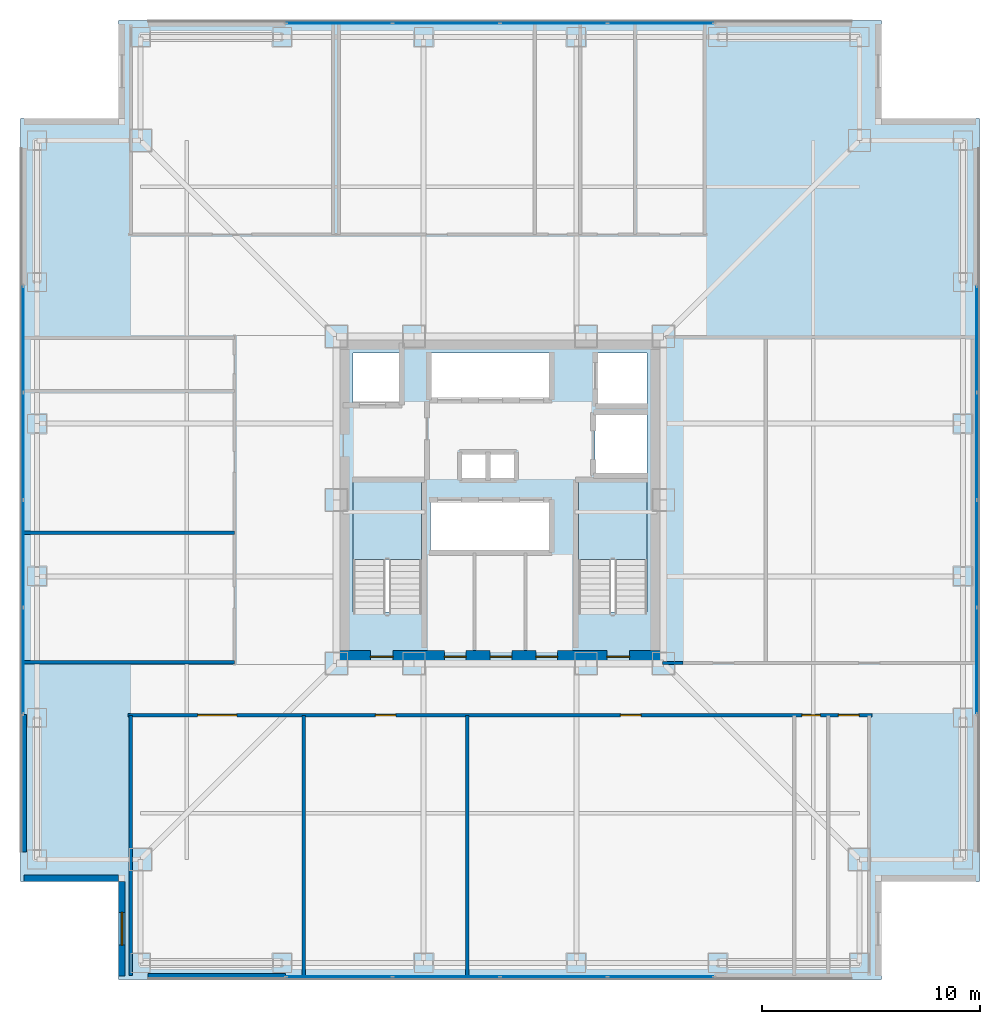
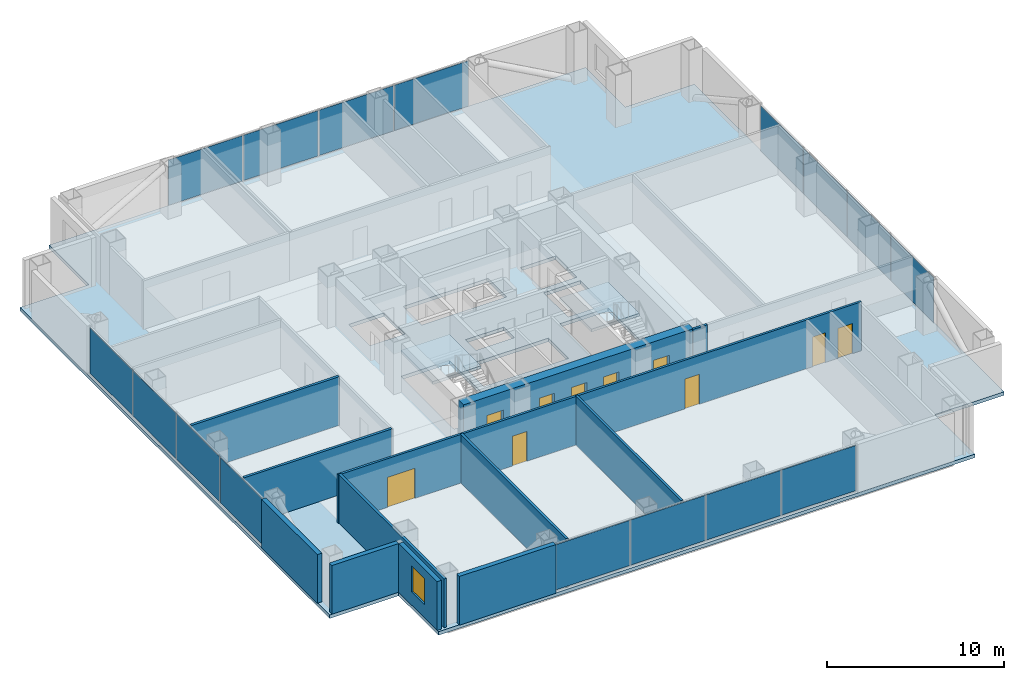
# One storey, part 11 of 16: 16 plates, 12 walls, 10 doors, 3 slabs, 1 window, 11 openings, 6 elements without a shape of their own.
"""IFC4 building model written with IfcOpenShell, lengths in metres."""

import ifcopenshell
import ifcopenshell.guid

model = None  # the IFC model being written
_history = None  # IfcOwnerHistory: only IFC2X3 demands one
_inside = {}  # id of a spatial element -> (the spatial element, [elements in it])
_under = {}  # id of a project, library or spatial element -> (it, [spatial elements below it])
_declared = {}  # id of a project -> (the project, [libraries it declares])
_typed = {}  # id of a type object -> (the type object, [elements of that type])
_made_of = {}  # id of a material, layer set ... -> (it, [elements and type objects made of it])


def new_model(schema):
    """Start an empty IFC model of exactly this schema.

    Asked for "IFC4X3", IfcOpenShell would pick the latest addendum, in which some entities
    have other attributes; the version numbers below select the first issue.
    IFC2X3 requires an IfcOwnerHistory on every rooted entity: one is made here for all.
    """
    global model, _history
    if schema == "IFC4X3":
        model = ifcopenshell.file(schema_version=(4, 3, 0, 0))
    else:
        model = ifcopenshell.file(schema=schema)
    _inside.clear()
    _under.clear()
    _declared.clear()
    _typed.clear()
    _made_of.clear()
    _history = None
    if model.schema == "IFC2X3":
        org = make("IfcOrganization", Name="unknown")
        user = make(
            "IfcPersonAndOrganization",
            ThePerson=make("IfcPerson", FamilyName="unknown"),
            TheOrganization=org,
        )
        app = make(
            "IfcApplication",
            ApplicationDeveloper=org,
            Version="unknown",
            ApplicationFullName="unknown",
            ApplicationIdentifier="unknown",
        )
        _history = make(
            "IfcOwnerHistory",
            OwningUser=user,
            OwningApplication=app,
            ChangeAction="ADDED",
            CreationDate=0,
        )
    return model


def make(cls, **values):
    """One entity of the class cls with the attributes given. An attribute that is None is left unset."""
    return model.create_entity(
        cls, **{name: value for name, value in values.items() if value is not None}
    )


def rooted(cls, **values):
    """An entity with a GlobalId (a new one), such as an element, a storey or a relation."""
    return make(cls, GlobalId=ifcopenshell.guid.new(), OwnerHistory=_history, **values)


def si_unit(unit_type, name, prefix=None):
    """IfcSIUnit, for example si_unit("LENGTHUNIT", "METRE", prefix="MILLI")."""
    return make("IfcSIUnit", UnitType=unit_type, Prefix=prefix, Name=name)


def assignment(units):
    """IfcUnitAssignment: the units of a project."""
    return None if units is None else make("IfcUnitAssignment", Units=units)


def point(xyz):
    """IfcCartesianPoint."""
    return None if xyz is None else make("IfcCartesianPoint", Coordinates=xyz)


def direction(xyz):
    """IfcDirection."""
    return None if xyz is None else make("IfcDirection", DirectionRatios=xyz)


def frame(location, z_axis=None, x_axis=None):
    """IfcAxis2Placement3D, a coordinate frame: its origin and axes. An axis left out is left unset."""
    return make(
        "IfcAxis2Placement3D",
        Location=point(location),
        Axis=direction(z_axis),
        RefDirection=direction(x_axis),
    )


def frame_2d(location, x_axis=None):
    """IfcAxis2Placement2D, a coordinate frame in the plane: its origin and x axis."""
    return make(
        "IfcAxis2Placement2D", Location=point(location), RefDirection=direction(x_axis)
    )


def origin():
    """The frame at (0, 0, 0) with its axes left unset."""
    return frame((0.0, 0.0, 0.0))


def origin_2d():
    """The frame at (0, 0) in the plane with its x axis left unset."""
    return frame_2d((0.0, 0.0))


def place(relative_to, where):
    """IfcLocalPlacement: puts the frame where relative to a parent placement (None: the world)."""
    return make(
        "IfcLocalPlacement", PlacementRelTo=relative_to, RelativePlacement=where
    )


def context(
    kind, dimensions, precision=None, world=None, true_north=None, identifier=None
):
    """IfcGeometricRepresentationContext, for example the 3D "Model" context."""
    return make(
        "IfcGeometricRepresentationContext",
        ContextIdentifier=identifier,
        ContextType=kind,
        CoordinateSpaceDimension=dimensions,
        Precision=precision,
        WorldCoordinateSystem=world,
        TrueNorth=true_north,
    )


def subcontext(parent, identifier, kind, view, scale=None):
    """IfcGeometricRepresentationSubContext, for example "Body" below "Model"."""
    return make(
        "IfcGeometricRepresentationSubContext",
        ContextIdentifier=identifier,
        ContextType=kind,
        ParentContext=parent,
        TargetScale=scale,
        TargetView=view,
    )


def project(units=None, contexts=None):
    """IfcProject with its units and contexts."""
    return rooted(
        "IfcProject",
        Name="project",
        RepresentationContexts=contexts,
        UnitsInContext=assignment(units),
    )


def spatial(cls, under=None, at=None, **own):
    """A site, building, storey or space (cls), placed at a placement, below another one or the project."""
    s = rooted(cls, ObjectPlacement=at, **own)
    if under is not None:
        _under.setdefault(under.id(), (under, []))[1].append(s)
    return s


def polyline(points):
    """IfcPolyline through the points."""
    return make("IfcPolyline", Points=[point(p) for p in points])


def profile(cls, at=None, kind="AREA", **sizes):
    """A parametric profile (cls). Its sizes go by their IFC names, for example OverallWidth=200.0."""
    return make(cls, ProfileType=kind, Position=at, **sizes)


def rectangle(**sizes):
    """IfcRectangleProfileDef."""
    return profile("IfcRectangleProfileDef", **sizes)


def outline(outer, holes=None, kind="AREA"):
    """IfcArbitraryClosedProfileDef: a profile drawn as a closed curve; with holes, ...WithVoids."""
    if holes is None:
        return make("IfcArbitraryClosedProfileDef", ProfileType=kind, OuterCurve=outer)
    return make(
        "IfcArbitraryProfileDefWithVoids",
        ProfileType=kind,
        OuterCurve=outer,
        InnerCurves=holes,
    )


def extrude(swept, where, along, depth):
    """IfcExtrudedAreaSolid: the profile swept, set in the frame where, extruded along a direction by depth."""
    return make(
        "IfcExtrudedAreaSolid",
        SweptArea=swept,
        Position=where,
        ExtrudedDirection=direction(along),
        Depth=depth,
    )


def shape(context_of_items, identifier, shape_type, items):
    """IfcShapeRepresentation: the items that make up one representation, for example the "Body"."""
    return make(
        "IfcShapeRepresentation",
        ContextOfItems=context_of_items,
        RepresentationIdentifier=identifier,
        RepresentationType=shape_type,
        Items=items,
    )


def material(Name=None, Category=None):
    """IfcMaterial."""
    return make("IfcMaterial", Name=Name, Category=Category)


def layer(
    of_material, thickness, ventilated=None, Name=None, Category=None, Priority=None
):
    """IfcMaterialLayer: one layer of a wall or slab, of a material (None: an air gap)."""
    return make(
        "IfcMaterialLayer",
        Material=of_material,
        LayerThickness=thickness,
        IsVentilated=ventilated,
        Name=Name,
        Category=Category,
        Priority=Priority,
    )


def layer_set(layers, Name=None):
    """IfcMaterialLayerSet."""
    return make("IfcMaterialLayerSet", MaterialLayers=layers, LayerSetName=Name)


def made_of(thing, what):
    """Note that an element or type object is made of a material, layer set ...; save() writes the relation."""
    if what is not None:
        _made_of.setdefault(what.id(), (what, []))[1].append(thing)
    return thing


def type_object(cls, material=None, **own):
    """A type object (cls), such as IfcWallType, which elements share."""
    return made_of(rooted(cls, **own), material)


def element(
    cls,
    number,
    at=None,
    inside=None,
    cuts=None,
    type_object=None,
    material=None,
    context=None,
    identifier="Body",
    shape_type=None,
    held_by="IfcProductDefinitionShape",
    body=None,
    shapes=None,
    **own,
):
    """One element of the class cls, such as IfcWall. Its Tag is "e" and its number.

    at: its placement. inside: the storey or other place that contains it. cuts: it is an
    opening in that element (IfcRelVoidsElement). A single representation is given by context,
    identifier, shape_type and body (its items); several are given by shapes. held_by: the class
    of the entity that holds the representations. save() writes the other relations.
    """
    e = rooted(cls, Tag="e%d" % number, ObjectPlacement=at, **own)
    if body is not None:
        shapes = [shape(context, identifier, shape_type, body)]
    if shapes is not None:
        e.Representation = make(held_by, Representations=shapes)
    if inside is not None:
        _inside.setdefault(inside.id(), (inside, []))[1].append(e)
    if cuts is not None:
        rooted(
            "IfcRelVoidsElement", RelatingBuildingElement=cuts, RelatedOpeningElement=e
        )
    if type_object is not None:
        _typed.setdefault(type_object.id(), (type_object, []))[1].append(e)
    return made_of(e, material)


def fill(opening, filler):
    """IfcRelFillsElement: the door or window that sits in an opening."""
    return rooted(
        "IfcRelFillsElement",
        RelatingOpeningElement=opening,
        RelatedBuildingElement=filler,
    )


def aggregate(whole, parts):
    """IfcRelAggregates: a whole, such as a stair, and the parts it consists of."""
    return rooted("IfcRelAggregates", RelatingObject=whole, RelatedObjects=parts)


def save(model, path):
    """Write the relations noted so far, then the file.

    IfcRelAggregates (storeys below a building ...), IfcRelContainedInSpatialStructure (elements
    in a storey), IfcRelDefinesByType, IfcRelAssociatesMaterial and IfcRelDeclares: one each for
    every whole, place, type object, material and project.
    """
    for whole, parts in _under.values():
        aggregate(whole, parts)
    for where, things in _inside.values():
        rooted(
            "IfcRelContainedInSpatialStructure",
            RelatedElements=things,
            RelatingStructure=where,
        )
    for kind, things in _typed.values():
        rooted("IfcRelDefinesByType", RelatedObjects=things, RelatingType=kind)
    for what, things in _made_of.values():
        rooted("IfcRelAssociatesMaterial", RelatedObjects=things, RelatingMaterial=what)
    for by, libraries in _declared.values():
        rooted("IfcRelDeclares", RelatingContext=by, RelatedDefinitions=libraries)
    model.write(path)


model = new_model("IFC4")

# Units and contexts
model_context = context("Model", 3, precision=1e-05, world=origin(), true_north=direction((0.0, 1.0)))
body_context = subcontext(model_context, "Body", "Model", "MODEL_VIEW")
ifc_project = project(units=[si_unit("LENGTHUNIT", "METRE"), si_unit("AREAUNIT", "SQUARE_METRE"), si_unit("VOLUMEUNIT", "CUBIC_METRE"), si_unit("PLANEANGLEUNIT", "RADIAN"), si_unit("MASSUNIT", "GRAM", prefix="KILO")], contexts=[model_context])

# Site, building, storey
site_placement = place(None, origin())
site = spatial("IfcSite", under=ifc_project, at=site_placement, CompositionType="ELEMENT")
building_placement = place(site_placement, origin())
building = spatial("IfcBuilding", under=site, at=building_placement, Name="Trevonay Congress Spire", CompositionType="ELEMENT")
storey_placement = place(building_placement, frame((0.0, 0.0, 101.199951171875)))
storey = spatial("IfcBuildingStorey", under=building, at=storey_placement, Name="L25", CompositionType="ELEMENT", Elevation=101.199951171875)

# Curtain wall, plates
ifc_material_1 = material(Name="Pale Anodised Aluminium EN AW-6063-T6", Category="aluminium")
ifc_layer_1 = layer(ifc_material_1, 0.175048828125, Name="Pale Anodised Aluminium EN AW-6063-T6")
ifc_layer_set_1 = layer_set([ifc_layer_1], Name="Pale Anodised Aluminium EN AW-6063-T6")
curtain_wall_type = type_object("IfcCurtainWallType", Name="CW-SYS03-CONGRESS-PALE-METAL", PredefinedType="NOTDEFINED", material=ifc_layer_set_1)
curtain_wall_1_placement = place(storey_placement, origin())
curtain_wall_1 = element("IfcCurtainWall", 1, at=curtain_wall_1_placement, inside=storey, type_object=curtain_wall_type, Name="L25 S unitised curtain wall", PredefinedType="NOTDEFINED")
ifc_material_2 = material(Name="Insulated Low-E Vision Glass IGU", Category="glass")
ifc_layer_2 = layer(ifc_material_2, 0.035888671875, Name="Insulated Low-E Vision Glass IGU")
ifc_layer_set_2 = layer_set([ifc_layer_2], Name="Insulated Low-E Vision Glass IGU")
plate_type = type_object("IfcPlateType", Name="CW-PANEL-IGU36-SILVER", PredefinedType="CURTAIN_PANEL", material=ifc_layer_set_2)
plate_1_placement = place(storey_placement, frame((-7.37255859375, -21.8798828125, 0.119873046875), z_axis=(0.0, 0.0, 1.0), x_axis=(1.0, 0.0, 0.0)))
plate_1 = element("IfcPlate", 2, at=plate_1_placement, type_object=plate_type, Name="CW03 panel 1.1", PredefinedType="CURTAIN_PANEL", context=body_context, shape_type="SweptSolid", body=[
    extrude(rectangle(XDim=4.8349609375, YDim=0.035888671875, at=origin_2d()), origin(), (0.0, 0.0, 1.0), 3.1201171875),
])
plate_2_placement = place(storey_placement, frame((-2.46240234375, -21.8798828125, 0.119873046875), z_axis=(0.0, 0.0, 1.0), x_axis=(1.0, 0.0, 0.0)))
plate_2 = element("IfcPlate", 3, at=plate_2_placement, type_object=plate_type, Name="CW03 panel 2.1", PredefinedType="CURTAIN_PANEL", context=body_context, shape_type="SweptSolid", body=[
    extrude(rectangle(XDim=4.864990234375, YDim=0.035888671875, at=origin_2d()), origin(), (0.0, 0.0, 1.0), 3.1201171875),
])
plate_3_placement = place(storey_placement, frame((2.46240234375, -21.8798828125, 0.119873046875), z_axis=(0.0, 0.0, 1.0), x_axis=(1.0, 0.0, 0.0)))
plate_3 = element("IfcPlate", 4, at=plate_3_placement, type_object=plate_type, Name="CW03 panel 3.1", PredefinedType="CURTAIN_PANEL", context=body_context, shape_type="SweptSolid", body=[
    extrude(rectangle(XDim=4.864990234375, YDim=0.035888671875, at=origin_2d()), origin(), (0.0, 0.0, 1.0), 3.1201171875),
])
plate_4_placement = place(storey_placement, frame((7.37255859375, -21.8798828125, 0.119873046875), z_axis=(0.0, 0.0, 1.0), x_axis=(1.0, 0.0, 0.0)))
plate_4 = element("IfcPlate", 5, at=plate_4_placement, type_object=plate_type, Name="CW03 panel 4.1", PredefinedType="CURTAIN_PANEL", context=body_context, shape_type="SweptSolid", body=[
    extrude(rectangle(XDim=4.8349609375, YDim=0.035888671875, at=origin_2d()), origin(), (0.0, 0.0, 1.0), 3.1201171875),
])
aggregate(curtain_wall_1, [plate_1, plate_2, plate_3, plate_4])

curtain_wall_2_placement = place(storey_placement, origin())
curtain_wall_2 = element("IfcCurtainWall", 6, at=curtain_wall_2_placement, inside=storey, type_object=curtain_wall_type, Name="L25 N unitised curtain wall", PredefinedType="NOTDEFINED")
plate_5_placement = place(storey_placement, frame((-7.37255859375, 21.8798828125, 0.119873046875), z_axis=(0.0, 0.0, 1.0), x_axis=(1.0, 0.0, 0.0)))
plate_5 = element("IfcPlate", 7, at=plate_5_placement, type_object=plate_type, Name="CW03 panel 1.1", PredefinedType="CURTAIN_PANEL", context=body_context, shape_type="SweptSolid", body=[
    extrude(rectangle(XDim=4.8349609375, YDim=0.035888671875, at=origin_2d()), origin(), (0.0, 0.0, 1.0), 3.1201171875),
])
plate_6_placement = place(storey_placement, frame((-2.46240234375, 21.8798828125, 0.119873046875), z_axis=(0.0, 0.0, 1.0), x_axis=(1.0, 0.0, 0.0)))
plate_6 = element("IfcPlate", 8, at=plate_6_placement, type_object=plate_type, Name="CW03 panel 2.1", PredefinedType="CURTAIN_PANEL", context=body_context, shape_type="SweptSolid", body=[
    extrude(rectangle(XDim=4.864990234375, YDim=0.035888671875, at=origin_2d()), origin(), (0.0, 0.0, 1.0), 3.1201171875),
])
plate_7_placement = place(storey_placement, frame((2.46240234375, 21.8798828125, 0.119873046875), z_axis=(0.0, 0.0, 1.0), x_axis=(1.0, 0.0, 0.0)))
plate_7 = element("IfcPlate", 9, at=plate_7_placement, type_object=plate_type, Name="CW03 panel 3.1", PredefinedType="CURTAIN_PANEL", context=body_context, shape_type="SweptSolid", body=[
    extrude(rectangle(XDim=4.864990234375, YDim=0.035888671875, at=origin_2d()), origin(), (0.0, 0.0, 1.0), 3.1201171875),
])
plate_8_placement = place(storey_placement, frame((7.37255859375, 21.8798828125, 0.119873046875), z_axis=(0.0, 0.0, 1.0), x_axis=(1.0, 0.0, 0.0)))
plate_8 = element("IfcPlate", 10, at=plate_8_placement, type_object=plate_type, Name="CW03 panel 4.1", PredefinedType="CURTAIN_PANEL", context=body_context, shape_type="SweptSolid", body=[
    extrude(rectangle(XDim=4.8349609375, YDim=0.035888671875, at=origin_2d()), origin(), (0.0, 0.0, 1.0), 3.1201171875),
])
aggregate(curtain_wall_2, [plate_5, plate_6, plate_7, plate_8])

curtain_wall_3_placement = place(storey_placement, origin())
curtain_wall_3 = element("IfcCurtainWall", 11, at=curtain_wall_3_placement, inside=storey, type_object=curtain_wall_type, Name="L25 W unitised curtain wall", PredefinedType="NOTDEFINED")
plate_9_placement = place(storey_placement, frame((-21.8798828125, -7.37255859375, 0.119873046875), z_axis=(0.0, 0.0, 1.0), x_axis=(0.0, 1.0, 0.0)))
plate_9 = element("IfcPlate", 12, at=plate_9_placement, type_object=plate_type, Name="CW03 panel 1.1", PredefinedType="CURTAIN_PANEL", context=body_context, shape_type="SweptSolid", body=[
    extrude(rectangle(XDim=4.8349609375, YDim=0.035888671875, at=origin_2d()), origin(), (0.0, 0.0, 1.0), 3.1201171875),
])
plate_10_placement = place(storey_placement, frame((-21.8798828125, -2.46240234375, 0.119873046875), z_axis=(0.0, 0.0, 1.0), x_axis=(0.0, 1.0, 0.0)))
plate_10 = element("IfcPlate", 13, at=plate_10_placement, type_object=plate_type, Name="CW03 panel 2.1", PredefinedType="CURTAIN_PANEL", context=body_context, shape_type="SweptSolid", body=[
    extrude(rectangle(XDim=4.864990234375, YDim=0.035888671875, at=origin_2d()), origin(), (0.0, 0.0, 1.0), 3.1201171875),
])
plate_11_placement = place(storey_placement, frame((-21.8798828125, 2.46240234375, 0.119873046875), z_axis=(0.0, 0.0, 1.0), x_axis=(0.0, 1.0, 0.0)))
plate_11 = element("IfcPlate", 14, at=plate_11_placement, type_object=plate_type, Name="CW03 panel 3.1", PredefinedType="CURTAIN_PANEL", context=body_context, shape_type="SweptSolid", body=[
    extrude(rectangle(XDim=4.864990234375, YDim=0.035888671875, at=origin_2d()), origin(), (0.0, 0.0, 1.0), 3.1201171875),
])
plate_12_placement = place(storey_placement, frame((-21.8798828125, 7.37255859375, 0.119873046875), z_axis=(0.0, 0.0, 1.0), x_axis=(0.0, 1.0, 0.0)))
plate_12 = element("IfcPlate", 15, at=plate_12_placement, type_object=plate_type, Name="CW03 panel 4.1", PredefinedType="CURTAIN_PANEL", context=body_context, shape_type="SweptSolid", body=[
    extrude(rectangle(XDim=4.8349609375, YDim=0.035888671875, at=origin_2d()), origin(), (0.0, 0.0, 1.0), 3.1201171875),
])
aggregate(curtain_wall_3, [plate_9, plate_10, plate_11, plate_12])

curtain_wall_4_placement = place(storey_placement, origin())
curtain_wall_4 = element("IfcCurtainWall", 16, at=curtain_wall_4_placement, inside=storey, type_object=curtain_wall_type, Name="L25 E unitised curtain wall", PredefinedType="NOTDEFINED")
plate_13_placement = place(storey_placement, frame((21.8798828125, -7.37255859375, 0.119873046875), z_axis=(0.0, 0.0, 1.0), x_axis=(0.0, 1.0, 0.0)))
plate_13 = element("IfcPlate", 17, at=plate_13_placement, type_object=plate_type, Name="CW03 panel 1.1", PredefinedType="CURTAIN_PANEL", context=body_context, shape_type="SweptSolid", body=[
    extrude(rectangle(XDim=4.8349609375, YDim=0.035888671875, at=origin_2d()), origin(), (0.0, 0.0, 1.0), 3.1201171875),
])
plate_14_placement = place(storey_placement, frame((21.8798828125, -2.46240234375, 0.119873046875), z_axis=(0.0, 0.0, 1.0), x_axis=(0.0, 1.0, 0.0)))
plate_14 = element("IfcPlate", 18, at=plate_14_placement, type_object=plate_type, Name="CW03 panel 2.1", PredefinedType="CURTAIN_PANEL", context=body_context, shape_type="SweptSolid", body=[
    extrude(rectangle(XDim=4.864990234375, YDim=0.035888671875, at=origin_2d()), origin(), (0.0, 0.0, 1.0), 3.1201171875),
])
plate_15_placement = place(storey_placement, frame((21.8798828125, 2.46240234375, 0.119873046875), z_axis=(0.0, 0.0, 1.0), x_axis=(0.0, 1.0, 0.0)))
plate_15 = element("IfcPlate", 19, at=plate_15_placement, type_object=plate_type, Name="CW03 panel 3.1", PredefinedType="CURTAIN_PANEL", context=body_context, shape_type="SweptSolid", body=[
    extrude(rectangle(XDim=4.864990234375, YDim=0.035888671875, at=origin_2d()), origin(), (0.0, 0.0, 1.0), 3.1201171875),
])
plate_16_placement = place(storey_placement, frame((21.8798828125, 7.37255859375, 0.119873046875), z_axis=(0.0, 0.0, 1.0), x_axis=(0.0, 1.0, 0.0)))
plate_16 = element("IfcPlate", 20, at=plate_16_placement, type_object=plate_type, Name="CW03 panel 4.1", PredefinedType="CURTAIN_PANEL", context=body_context, shape_type="SweptSolid", body=[
    extrude(rectangle(XDim=4.8349609375, YDim=0.035888671875, at=origin_2d()), origin(), (0.0, 0.0, 1.0), 3.1201171875),
])
aggregate(curtain_wall_4, [plate_13, plate_14, plate_15, plate_16])

# Stair, slab
ifc_material_3 = material(Name="Concrete C40/50", Category="concrete")
stair_type_1 = type_object("IfcStairType", Name="STR-ST-1", PredefinedType="HALF_TURN_STAIR", material=ifc_material_3)
stair_1_placement = place(storey_placement, origin())
stair_1 = element("IfcStair", 21, at=stair_1_placement, inside=storey, type_object=stair_type_1, Name="L25 Protected Exit Stair ST-1", PredefinedType="HALF_TURN_STAIR")
ifc_layer_3 = layer(ifc_material_3, 0.199951171875, Name="Concrete C40/50")
ifc_layer_set_3 = layer_set([ifc_layer_3], Name="Concrete C40/50")
slab_type_1 = type_object("IfcSlabType", Name="SLB-STAIR-LAND-200", PredefinedType="LANDING", material=ifc_layer_set_3)
slab_1_placement = place(storey_placement, frame((0.0, 0.0, 1.60009765625)))
slab_1 = element("IfcSlab", 22, at=slab_1_placement, type_object=slab_type_1, Name="ST-1 landing 1", PredefinedType="LANDING", context=body_context, shape_type="SweptSolid", body=[
    extrude(outline(polyline([(-3.60009765625, -2.72998046875), (-3.60009765625, 0.85009765625), (-6.75, 0.85009765625), (-6.75, -2.72998046875), (-3.60009765625, -2.72998046875)])), origin(), (0.0, 0.0, 1.0), 0.199951171875),
])
aggregate(stair_1, [slab_1])

stair_type_2 = type_object("IfcStairType", Name="STR-ST-2", PredefinedType="HALF_TURN_STAIR", material=ifc_material_3)
stair_2_placement = place(storey_placement, origin())
stair_2 = element("IfcStair", 23, at=stair_2_placement, inside=storey, type_object=stair_type_2, Name="L25 Protected Exit Stair ST-2", PredefinedType="HALF_TURN_STAIR")
slab_2_placement = place(storey_placement, frame((0.0, 0.0, 1.60009765625)))
slab_2 = element("IfcSlab", 24, at=slab_2_placement, type_object=slab_type_1, Name="ST-2 landing 1", PredefinedType="LANDING", context=body_context, shape_type="SweptSolid", body=[
    extrude(outline(polyline([(6.75, -2.72998046875), (6.75, 0.85009765625), (3.60009765625, 0.85009765625), (3.60009765625, -2.72998046875), (6.75, -2.72998046875)])), origin(), (0.0, 0.0, 1.0), 0.199951171875),
])
aggregate(stair_2, [slab_2])

# Slab
ifc_layer_4 = layer(ifc_material_3, 0.239990234375, Name="Concrete C40/50")
ifc_layer_set_4 = layer_set([ifc_layer_4], Name="Concrete C40/50")
slab_type_2 = type_object("IfcSlabType", Name="SLB-TOW2-240", PredefinedType="FLOOR", material=ifc_layer_set_4)
slab_3_placement = place(storey_placement, frame((0.0, 0.0, -0.239990234375)))
element("IfcSlab", 25, at=slab_3_placement, inside=storey, type_object=slab_type_2, Name="L25 structural floor slab", PredefinedType="FLOOR", context=body_context, shape_type="SweptSolid", body=[
    extrude(outline(polyline([(-17.5, -22.0), (17.5, -22.0), (17.5, -17.5), (22.0, -17.5), (22.0, 17.5), (17.5, 17.5), (17.5, 22.0), (-17.5, 22.0), (-17.5, 17.5), (-22.0, 17.5), (-22.0, -17.5), (-17.5, -17.5), (-17.5, -22.0)]), holes=[polyline([(-3.60009765625, -5.14990234375), (-3.60009765625, 0.85009765625), (-6.75, 0.85009765625), (-6.75, -5.14990234375), (-3.60009765625, -5.14990234375)]), polyline([(6.75, -5.14990234375), (6.75, 0.85009765625), (3.60009765625, 0.85009765625), (3.60009765625, -5.14990234375), (6.75, -5.14990234375)]), polyline([(-3.199951171875, -2.35009765625), (2.340087890625, -2.35009765625), (2.340087890625, -0.050048828125), (-3.199951171875, -0.050048828125), (-3.199951171875, -2.35009765625)]), polyline([(-3.199951171875, 4.64990234375), (2.340087890625, 4.64990234375), (2.340087890625, 6.75), (-3.199951171875, 6.75), (-3.199951171875, 4.64990234375)]), polyline([(-6.75, 4.35009765625), (-4.449951171875, 4.35009765625), (-4.449951171875, 6.75), (-6.75, 6.75), (-6.75, 4.35009765625)]), polyline([(4.449951171875, 4.35009765625), (6.75, 4.35009765625), (6.75, 6.75), (4.449951171875, 6.75), (4.449951171875, 4.35009765625)]), polyline([(4.35009765625, 1.199951171875), (6.75, 1.199951171875), (6.75, 3.949951171875), (4.35009765625, 3.949951171875), (4.35009765625, 1.199951171875)]), polyline([(-1.800048828125, 0.949951171875), (0.699951171875, 0.949951171875), (0.699951171875, 2.14990234375), (-1.800048828125, 2.14990234375), (-1.800048828125, 0.949951171875)])]), origin(), (0.0, 0.0, 1.0), 0.239990234375),
])

# Wall, openings, doors
ifc_material_4 = material(Name="Concrete C60/75", Category="concrete")
ifc_layer_5 = layer(ifc_material_4, 0.60009765625, Name="Concrete C60/75")
ifc_layer_set_5 = layer_set([ifc_layer_5], Name="Concrete C60/75")
wall_type_1 = type_object("IfcWallType", Name="WAL-CORE-600", PredefinedType="SHEAR", material=ifc_layer_set_5)
wall_1_placement = place(storey_placement, frame((-7.5, -7.199951171875, 0.0), z_axis=(0.0, 0.0, 1.0), x_axis=(1.0, 0.0, 0.0)))
wall_1 = element("IfcWall", 26, at=wall_1_placement, inside=storey, type_object=wall_type_1, Name="L25 South structural core shear wall", PredefinedType="SHEAR", context=body_context, shape_type="SweptSolid", body=[
    extrude(rectangle(XDim=15.0, YDim=0.60009765625, at=frame_2d((7.5, 0.0))), origin(), (0.0, 0.0, 1.0), 3.360107421875),
])
opening_1_placement = place(wall_1_placement, frame((1.550048828125, 0.0, 0.0)))
opening_1 = element("IfcOpeningElement", 27, at=opening_1_placement, cuts=wall_1, Name="Opening D05", PredefinedType="OPENING", context=body_context, shape_type="SweptSolid", body=[
    extrude(rectangle(XDim=1.050048828125, YDim=2.080078125, at=frame_2d((0.52490234375, 1.0400390625))), frame((0.0, 0.31005859375, 0.0), z_axis=(0.0, -1.0, 0.0), x_axis=(1.0, 0.0, 0.0)), (0.0, 0.0, 1.0), 0.6201171875),
])
opening_2_placement = place(wall_1_placement, frame((12.39990234375, 0.0, 0.0)))
opening_2 = element("IfcOpeningElement", 28, at=opening_2_placement, cuts=wall_1, Name="Opening D05", PredefinedType="OPENING", context=body_context, shape_type="SweptSolid", body=[
    extrude(rectangle(XDim=1.050048828125, YDim=2.080078125, at=frame_2d((0.52490234375, 1.0400390625))), frame((0.0, 0.31005859375, 0.0), z_axis=(0.0, -1.0, 0.0), x_axis=(1.0, 0.0, 0.0)), (0.0, 0.0, 1.0), 0.6201171875),
])
opening_3_placement = place(wall_1_placement, frame((4.949951171875, 0.0, 0.0)))
opening_3 = element("IfcOpeningElement", 29, at=opening_3_placement, cuts=wall_1, Name="Opening D06", PredefinedType="OPENING", context=body_context, shape_type="SweptSolid", body=[
    extrude(rectangle(XDim=1.0, YDim=2.080078125, at=frame_2d((0.5, 1.0400390625))), frame((0.0, 0.31005859375, 0.0), z_axis=(0.0, -1.0, 0.0), x_axis=(1.0, 0.0, 0.0)), (0.0, 0.0, 1.0), 0.6201171875),
])
opening_4_placement = place(wall_1_placement, frame((7.050048828125, 0.0, 0.0)))
opening_4 = element("IfcOpeningElement", 30, at=opening_4_placement, cuts=wall_1, Name="Opening D06", PredefinedType="OPENING", context=body_context, shape_type="SweptSolid", body=[
    extrude(rectangle(XDim=1.0, YDim=2.080078125, at=frame_2d((0.5, 1.0400390625))), frame((0.0, 0.31005859375, 0.0), z_axis=(0.0, -1.0, 0.0), x_axis=(1.0, 0.0, 0.0)), (0.0, 0.0, 1.0), 0.6201171875),
])
opening_5_placement = place(wall_1_placement, frame((9.14990234375, 0.0, 0.0)))
opening_5 = element("IfcOpeningElement", 31, at=opening_5_placement, cuts=wall_1, Name="Opening D06", PredefinedType="OPENING", context=body_context, shape_type="SweptSolid", body=[
    extrude(rectangle(XDim=1.0, YDim=2.080078125, at=frame_2d((0.5, 1.0400390625))), frame((0.0, 0.31005859375, 0.0), z_axis=(0.0, -1.0, 0.0), x_axis=(1.0, 0.0, 0.0)), (0.0, 0.0, 1.0), 0.6201171875),
])
ifc_material_5 = material(Name="Steel ASTM A572 Grade 50", Category="steel")
door_type_1 = type_object("IfcDoorType", Name="DOR-FIRE-100", OperationType="NOTDEFINED", PredefinedType="DOOR", material=ifc_material_5)
door_1_placement = place(opening_3_placement, origin())
door_1 = element("IfcDoor", 32, at=door_1_placement, inside=storey, type_object=door_type_1, Name="L25 South Core Room 1 Door", OperationType="SINGLE_SWING_LEFT", OverallHeight=2.080078125, OverallWidth=1.0, PredefinedType="DOOR", context=body_context, shape_type="SweptSolid", body=[
    extrude(rectangle(XDim=1.0, YDim=2.080078125, at=frame_2d((0.5, 1.0400390625))), frame((0.0, 0.02490234375, 0.0), z_axis=(0.0, -1.0, 0.0), x_axis=(1.0, 0.0, 0.0)), (0.0, 0.0, 1.0), 0.050048828125),
])
fill(opening_3, door_1)
door_2_placement = place(opening_4_placement, origin())
door_2 = element("IfcDoor", 33, at=door_2_placement, inside=storey, type_object=door_type_1, Name="L25 South Core Room 2 Door", OperationType="SINGLE_SWING_RIGHT", OverallHeight=2.080078125, OverallWidth=1.0, PredefinedType="DOOR", context=body_context, shape_type="SweptSolid", body=[
    extrude(rectangle(XDim=1.0, YDim=2.080078125, at=frame_2d((0.5, 1.0400390625))), frame((0.0, 0.02490234375, 0.0), z_axis=(0.0, -1.0, 0.0), x_axis=(1.0, 0.0, 0.0)), (0.0, 0.0, 1.0), 0.050048828125),
])
fill(opening_4, door_2)
door_3_placement = place(opening_5_placement, origin())
door_3 = element("IfcDoor", 34, at=door_3_placement, inside=storey, type_object=door_type_1, Name="L25 South Core Room 3 Door", OperationType="SINGLE_SWING_LEFT", OverallHeight=2.080078125, OverallWidth=1.0, PredefinedType="DOOR", context=body_context, shape_type="SweptSolid", body=[
    extrude(rectangle(XDim=1.0, YDim=2.080078125, at=frame_2d((0.5, 1.0400390625))), frame((0.0, 0.02490234375, 0.0), z_axis=(0.0, -1.0, 0.0), x_axis=(1.0, 0.0, 0.0)), (0.0, 0.0, 1.0), 0.050048828125),
])
fill(opening_5, door_3)
door_type_2 = type_object("IfcDoorType", Name="DOR-STAIR-110", OperationType="NOTDEFINED", PredefinedType="DOOR", material=ifc_material_5)
door_4_placement = place(opening_1_placement, origin())
door_4 = element("IfcDoor", 35, at=door_4_placement, inside=storey, type_object=door_type_2, Name="L25 Protected Stair ST-1 Door", OperationType="SINGLE_SWING_RIGHT", OverallHeight=2.080078125, OverallWidth=1.050048828125, PredefinedType="DOOR", context=body_context, shape_type="SweptSolid", body=[
    extrude(rectangle(XDim=1.050048828125, YDim=2.080078125, at=frame_2d((0.52490234375, 1.0400390625))), frame((0.0, 0.02490234375, 0.0), z_axis=(0.0, -1.0, 0.0), x_axis=(1.0, 0.0, 0.0)), (0.0, 0.0, 1.0), 0.050048828125),
])
fill(opening_1, door_4)
door_5_placement = place(opening_2_placement, origin())
door_5 = element("IfcDoor", 36, at=door_5_placement, inside=storey, type_object=door_type_2, Name="L25 Protected Stair ST-2 Door", OperationType="SINGLE_SWING_LEFT", OverallHeight=2.080078125, OverallWidth=1.050048828125, PredefinedType="DOOR", context=body_context, shape_type="SweptSolid", body=[
    extrude(rectangle(XDim=1.050048828125, YDim=2.080078125, at=frame_2d((0.52490234375, 1.0400390625))), frame((0.0, 0.02490234375, 0.0), z_axis=(0.0, -1.0, 0.0), x_axis=(1.0, 0.0, 0.0)), (0.0, 0.0, 1.0), 0.050048828125),
])
fill(opening_2, door_5)

ifc_layer_6 = layer(ifc_material_3, 0.14990234375, Name="Concrete C40/50")
ifc_layer_set_6 = layer_set([ifc_layer_6], Name="Concrete C40/50")
wall_type_2 = type_object("IfcWallType", Name="WAL-CORR-150", PredefinedType="PARTITIONING", material=ifc_layer_set_6)
wall_2_placement = place(storey_placement, frame((-17.070068359375, -9.8798828125, 0.0), z_axis=(0.0, 0.0, 1.0), x_axis=(1.0, 0.0, 0.0)))
wall_2 = element("IfcWall", 37, at=wall_2_placement, inside=storey, type_object=wall_type_2, Name="L25 interior wall WP-L25S-COR", PredefinedType="PARTITIONING", context=body_context, shape_type="SweptSolid", body=[
    extrude(rectangle(XDim=34.14013671875, YDim=0.14990234375, at=frame_2d((17.070068359375, 0.0))), origin(), (0.0, 0.0, 1.0), 3.360107421875),
])
opening_6_placement = place(wall_2_placement, frame((3.195068359375, 0.0, 0.0)))
opening_6 = element("IfcOpeningElement", 38, at=opening_6_placement, cuts=wall_2, Name="Opening D09", PredefinedType="OPENING", context=body_context, shape_type="SweptSolid", body=[
    extrude(rectangle(XDim=1.800048828125, YDim=2.080078125, at=frame_2d((0.89990234375, 1.0400390625))), frame((0.0, 0.0849609375, 0.0), z_axis=(0.0, -1.0, 0.0), x_axis=(1.0, 0.0, 0.0)), (0.0, 0.0, 1.0), 0.169921875),
])
opening_7_placement = place(wall_2_placement, frame((11.344970703125, 0.0, 0.0)))
opening_7 = element("IfcOpeningElement", 39, at=opening_7_placement, cuts=wall_2, Name="Opening D07", PredefinedType="OPENING", context=body_context, shape_type="SweptSolid", body=[
    extrude(rectangle(XDim=0.949951171875, YDim=2.06005859375, at=frame_2d((0.47509765625, 1.030029296875))), frame((0.0, 0.0849609375, 0.0), z_axis=(0.0, -1.0, 0.0), x_axis=(1.0, 0.0, 0.0)), (0.0, 0.0, 1.0), 0.169921875),
])
opening_8_placement = place(wall_2_placement, frame((22.594970703125, 0.0, 0.0)))
opening_8 = element("IfcOpeningElement", 40, at=opening_8_placement, cuts=wall_2, Name="Opening D07", PredefinedType="OPENING", context=body_context, shape_type="SweptSolid", body=[
    extrude(rectangle(XDim=0.949951171875, YDim=2.06005859375, at=frame_2d((0.47509765625, 1.030029296875))), frame((0.0, 0.0849609375, 0.0), z_axis=(0.0, -1.0, 0.0), x_axis=(1.0, 0.0, 0.0)), (0.0, 0.0, 1.0), 0.169921875),
])
opening_9_placement = place(wall_2_placement, frame((30.925048828125, 0.0, 0.0)))
opening_9 = element("IfcOpeningElement", 41, at=opening_9_placement, cuts=wall_2, Name="Opening D10", PredefinedType="OPENING", context=body_context, shape_type="SweptSolid", body=[
    extrude(rectangle(XDim=0.85009765625, YDim=2.050048828125, at=frame_2d((0.425048828125, 1.02490234375))), frame((0.0, 0.0849609375, 0.0), z_axis=(0.0, -1.0, 0.0), x_axis=(1.0, 0.0, 0.0)), (0.0, 0.0, 1.0), 0.169921875),
])
opening_10_placement = place(wall_2_placement, frame((32.60009765625, 0.0, 0.0)))
opening_10 = element("IfcOpeningElement", 42, at=opening_10_placement, cuts=wall_2, Name="Opening D07", PredefinedType="OPENING", context=body_context, shape_type="SweptSolid", body=[
    extrude(rectangle(XDim=0.949951171875, YDim=2.06005859375, at=frame_2d((0.47509765625, 1.030029296875))), frame((0.0, 0.0849609375, 0.0), z_axis=(0.0, -1.0, 0.0), x_axis=(1.0, 0.0, 0.0)), (0.0, 0.0, 1.0), 0.169921875),
])
door_type_3 = type_object("IfcDoorType", Name="DOR-CONF-DBL", OperationType="DOUBLE_DOOR_SINGLE_SWING", PredefinedType="DOOR", material=ifc_material_1)
door_6_placement = place(opening_6_placement, origin())
door_6 = element("IfcDoor", 43, at=door_6_placement, inside=storey, type_object=door_type_3, Name="L25 Commission Hearing Chamber A Door", OperationType="DOUBLE_DOOR_SINGLE_SWING", OverallHeight=2.080078125, OverallWidth=1.800048828125, PredefinedType="DOOR", context=body_context, shape_type="SweptSolid", body=[
    extrude(rectangle(XDim=1.800048828125, YDim=2.080078125, at=frame_2d((0.89990234375, 1.0400390625))), frame((0.0, 0.02490234375, 0.0), z_axis=(0.0, -1.0, 0.0), x_axis=(1.0, 0.0, 0.0)), (0.0, 0.0, 1.0), 0.050048828125),
])
fill(opening_6, door_6)
door_type_4 = type_object("IfcDoorType", Name="DOR-OFFICE-95", OperationType="NOTDEFINED", PredefinedType="DOOR", material=ifc_material_1)
door_7_placement = place(opening_7_placement, origin())
door_7 = element("IfcDoor", 44, at=door_7_placement, inside=storey, type_object=door_type_4, Name="L25 Commission Hearing Chamber B Door", OperationType="SINGLE_SWING_LEFT", OverallHeight=2.06005859375, OverallWidth=0.949951171875, PredefinedType="DOOR", context=body_context, shape_type="SweptSolid", body=[
    extrude(rectangle(XDim=0.949951171875, YDim=2.06005859375, at=frame_2d((0.47509765625, 1.030029296875))), frame((0.0, 0.02490234375, 0.0), z_axis=(0.0, -1.0, 0.0), x_axis=(1.0, 0.0, 0.0)), (0.0, 0.0, 1.0), 0.050048828125),
])
fill(opening_7, door_7)
door_8_placement = place(opening_8_placement, origin())
door_8 = element("IfcDoor", 45, at=door_8_placement, inside=storey, type_object=door_type_4, Name="L25 Simultaneous Interpretation Hub Door", OperationType="SINGLE_SWING_RIGHT", OverallHeight=2.06005859375, OverallWidth=0.949951171875, PredefinedType="DOOR", context=body_context, shape_type="SweptSolid", body=[
    extrude(rectangle(XDim=0.949951171875, YDim=2.06005859375, at=frame_2d((0.47509765625, 1.030029296875))), frame((0.0, 0.02490234375, 0.0), z_axis=(0.0, -1.0, 0.0), x_axis=(1.0, 0.0, 0.0)), (0.0, 0.0, 1.0), 0.050048828125),
])
fill(opening_8, door_8)
door_9_placement = place(opening_10_placement, origin())
door_9 = element("IfcDoor", 46, at=door_9_placement, inside=storey, type_object=door_type_4, Name="L25 Floor Supplies and Copy Room Door", OperationType="SINGLE_SWING_RIGHT", OverallHeight=2.06005859375, OverallWidth=0.949951171875, PredefinedType="DOOR", context=body_context, shape_type="SweptSolid", body=[
    extrude(rectangle(XDim=0.949951171875, YDim=2.06005859375, at=frame_2d((0.47509765625, 1.030029296875))), frame((0.0, 0.02490234375, 0.0), z_axis=(0.0, -1.0, 0.0), x_axis=(1.0, 0.0, 0.0)), (0.0, 0.0, 1.0), 0.050048828125),
])
fill(opening_10, door_9)
door_type_5 = type_object("IfcDoorType", Name="DOR-WC-85", OperationType="NOTDEFINED", PredefinedType="DOOR", material=ifc_material_1)
door_10_placement = place(opening_9_placement, origin())
door_10 = element("IfcDoor", 47, at=door_10_placement, inside=storey, type_object=door_type_5, Name="L25 Accessible WC Door", OperationType="SINGLE_SWING_LEFT", OverallHeight=2.050048828125, OverallWidth=0.85009765625, PredefinedType="DOOR", context=body_context, shape_type="SweptSolid", body=[
    extrude(rectangle(XDim=0.85009765625, YDim=2.050048828125, at=frame_2d((0.425048828125, 1.02490234375))), frame((0.0, 0.02490234375, 0.0), z_axis=(0.0, -1.0, 0.0), x_axis=(1.0, 0.0, 0.0)), (0.0, 0.0, 1.0), 0.050048828125),
])
fill(opening_9, door_10)

# Walls
wall_3_placement = place(storey_placement, frame((7.449951171875, -7.47998046875, 0.0), z_axis=(0.0, 0.0, 1.0), x_axis=(1.0, 0.0, 0.0)))
element("IfcWall", 48, at=wall_3_placement, inside=storey, type_object=wall_type_2, Name="L25 interior wall WP-L25E-STUB", PredefinedType="PARTITIONING", context=body_context, shape_type="SweptSolid", body=[
    extrude(rectangle(XDim=0.949951171875, YDim=0.14990234375, at=frame_2d((0.47509765625, 0.0))), origin(), (0.0, 0.0, 1.0), 3.360107421875),
])
ifc_material_6 = material(Name="Precast concrete C40/50", Category="concrete")
ifc_layer_7 = layer(ifc_material_6, 0.300048828125, Name="Precast concrete C40/50")
ifc_layer_set_7 = layer_set([ifc_layer_7], Name="Precast concrete C40/50")
wall_type_3 = type_object("IfcWallType", Name="WAL-EXT-PRECAST-300", PredefinedType="SOLIDWALL", material=ifc_layer_set_7)
for number, where, z_axis, x_axis, name in (
    (49, (-16.14990234375, -21.8798828125, 0.0), (0.0, 0.0, 1.0), (1.0, 0.0, 0.0), "L25 SL braced-bay exterior pier wall"),
    (50, (-21.8798828125, -16.14990234375, 0.0), (0.0, 0.0, 1.0), (0.0, 1.0, 0.0), "L25 WL braced-bay exterior pier wall"),
):
    element("IfcWall", number, at=place(storey_placement, frame(where, z_axis=z_axis, x_axis=x_axis)), inside=storey, type_object=wall_type_3, Name=name, PredefinedType="SOLIDWALL", context=body_context, shape_type="SweptSolid", body=[
        extrude(rectangle(XDim=6.2998046875, YDim=0.300048828125, at=frame_2d((3.14990234375, 0.0))), origin(), (0.0, 0.0, 1.0), 3.360107421875),
    ])

# Wall, opening, window
wall_4_placement = place(storey_placement, frame((-17.35009765625, -21.85009765625, 0.0), z_axis=(0.0, 0.0, 1.0), x_axis=(0.0, 1.0, 0.0)))
wall_4 = element("IfcWall", 51, at=wall_4_placement, inside=storey, type_object=wall_type_3, Name="L25 SW re-entrant notch exterior wall 1", PredefinedType="SOLIDWALL", context=body_context, shape_type="SweptSolid", body=[
    extrude(rectangle(XDim=4.35009765625, YDim=0.300048828125, at=frame_2d((2.175048828125, 0.0))), origin(), (0.0, 0.0, 1.0), 3.360107421875),
])
opening_11_placement = place(wall_4_placement, frame((1.425048828125, 0.0, 0.89990234375)))
opening_11 = element("IfcOpeningElement", 52, at=opening_11_placement, cuts=wall_4, Name="Opening WN03", PredefinedType="OPENING", context=body_context, shape_type="SweptSolid", body=[
    extrude(rectangle(XDim=1.5, YDim=1.800048828125, at=frame_2d((0.75, 0.89990234375))), frame((0.0, 0.16015625, 0.0), z_axis=(0.0, -1.0, 0.0), x_axis=(1.0, 0.0, 0.0)), (0.0, 0.0, 1.0), 0.320068359375),
])
window_type = type_object("IfcWindowType", Name="WIN-NOTCH-150X180", PartitioningType="SINGLE_PANEL", PredefinedType="WINDOW", material=ifc_material_2)
window_placement = place(opening_11_placement, origin())
window = element("IfcWindow", 53, at=window_placement, inside=storey, type_object=window_type, Name="L25 SW corner notch window", OverallHeight=1.800048828125, OverallWidth=1.5, PartitioningType="SINGLE_PANEL", PredefinedType="WINDOW", context=body_context, shape_type="SweptSolid", body=[
    extrude(rectangle(XDim=1.5, YDim=1.800048828125, at=frame_2d((0.75, 0.89990234375))), frame((0.0, 0.030029296875, 0.0), z_axis=(0.0, -1.0, 0.0), x_axis=(1.0, 0.0, 0.0)), (0.0, 0.0, 1.0), 0.06005859375),
])
fill(opening_11, window)

# Walls
wall_5_placement = place(storey_placement, frame((-21.85009765625, -17.35009765625, 0.0), z_axis=(0.0, 0.0, 1.0), x_axis=(1.0, 0.0, 0.0)))
element("IfcWall", 54, at=wall_5_placement, inside=storey, type_object=wall_type_3, Name="L25 SW re-entrant notch exterior wall 2", PredefinedType="SOLIDWALL", context=body_context, shape_type="SweptSolid", body=[
    extrude(rectangle(XDim=4.35009765625, YDim=0.300048828125, at=frame_2d((2.175048828125, 0.0))), origin(), (0.0, 0.0, 1.0), 3.360107421875),
])
ifc_layer_8 = layer(ifc_material_3, 0.14990234375, Name="Concrete C40/50")
ifc_layer_set_8 = layer_set([ifc_layer_8], Name="Concrete C40/50")
wall_type_4 = type_object("IfcWallType", Name="WAL-PART-150", PredefinedType="PARTITIONING", material=ifc_layer_set_8)
wall_6_placement = place(storey_placement, frame((-1.5, -21.820068359375, 0.0), z_axis=(0.0, 0.0, 1.0), x_axis=(0.0, 1.0, 0.0)))
element("IfcWall", 55, at=wall_6_placement, inside=storey, type_object=wall_type_4, Name="L25 interior wall WP-L25S-DIV3", PredefinedType="PARTITIONING", context=body_context, shape_type="SweptSolid", body=[
    extrude(rectangle(XDim=11.940185546875, YDim=0.14990234375, at=frame_2d((5.97021484375, 0.0))), origin(), (0.0, 0.0, 1.0), 3.360107421875),
])
ifc_layer_9 = layer(ifc_material_3, 0.1650390625, Name="Concrete C40/50")
ifc_layer_set_9 = layer_set([ifc_layer_9], Name="Concrete C40/50")
wall_type_5 = type_object("IfcWallType", Name="WAL-WET-165", PredefinedType="PLUMBINGWALL", material=ifc_layer_set_9)
for number, where, z_axis, x_axis, name in (
    (56, (-16.949951171875, -21.820068359375, 0.0), (0.0, 0.0, 1.0), (0.0, 1.0, 0.0), "L25 interior wall WP-L25S-DIV1"),
    (57, (-9.0, -21.820068359375, 0.0), (0.0, 0.0, 1.0), (0.0, 1.0, 0.0), "L25 interior wall WP-L25S-DIV2"),
):
    element("IfcWall", number, at=place(storey_placement, frame(where, z_axis=z_axis, x_axis=x_axis)), inside=storey, type_object=wall_type_5, Name=name, PredefinedType="PLUMBINGWALL", context=body_context, shape_type="SweptSolid", body=[
        extrude(rectangle(XDim=11.940185546875, YDim=0.1650390625, at=frame_2d((5.97021484375, 0.0))), origin(), (0.0, 0.0, 1.0), 3.360107421875),
    ])
for number, where, z_axis, x_axis, name in (
    (58, (-21.820068359375, -7.449951171875, 0.0), (0.0, 0.0, 1.0), (1.0, 0.0, 0.0), "L25 interior wall WP-L25W-DIV1"),
    (59, (-21.820068359375, -1.5, 0.0), (0.0, 0.0, 1.0), (1.0, 0.0, 0.0), "L25 interior wall WP-L25W-DIV2"),
):
    element("IfcWall", number, at=place(storey_placement, frame(where, z_axis=z_axis, x_axis=x_axis)), inside=storey, type_object=wall_type_5, Name=name, PredefinedType="PLUMBINGWALL", context=body_context, shape_type="SweptSolid", body=[
        extrude(rectangle(XDim=9.64013671875, YDim=0.1650390625, at=frame_2d((4.820068359375, 0.0))), origin(), (0.0, 0.0, 1.0), 3.360107421875),
    ])

save(model, "model.ifc")
